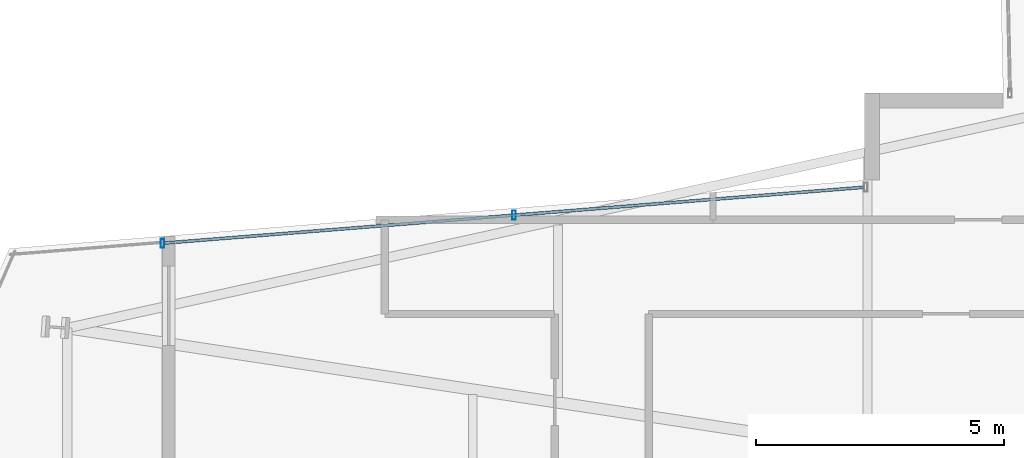
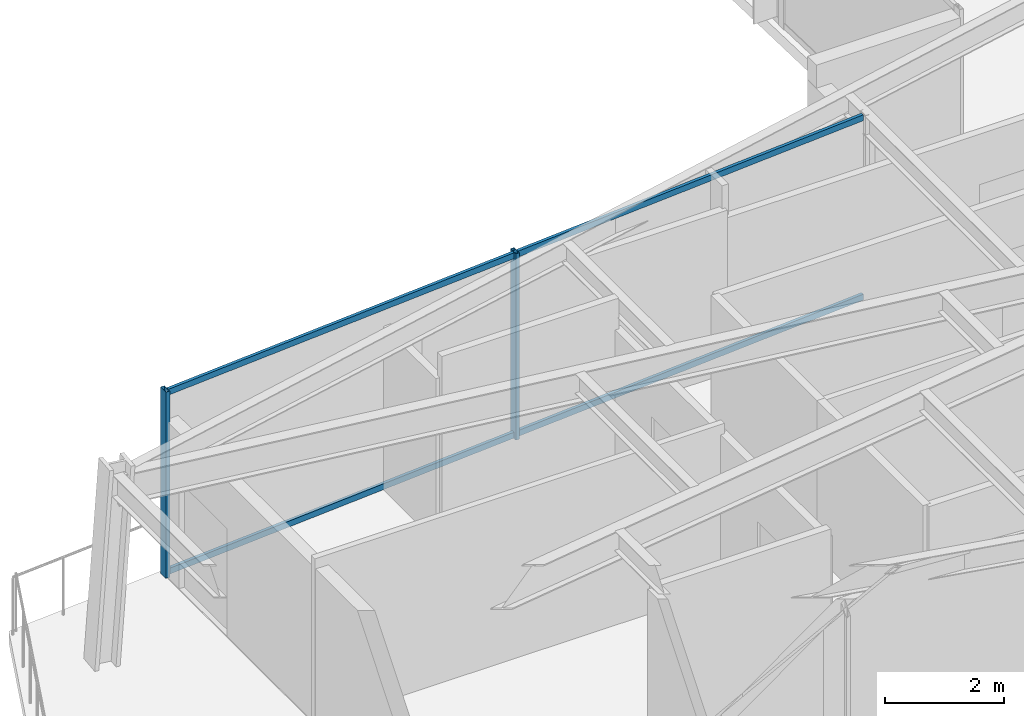
# One storey, part 7 of 26: 4 members, 1 element without a shape of its own.
"""IFC4 building model written with IfcOpenShell, lengths in metres."""

import ifcopenshell
import ifcopenshell.guid

model = None  # the IFC model being written
_history = None  # IfcOwnerHistory: only IFC2X3 demands one
_inside = {}  # id of a spatial element -> (the spatial element, [elements in it])
_under = {}  # id of a project, library or spatial element -> (it, [spatial elements below it])
_declared = {}  # id of a project -> (the project, [libraries it declares])
_typed = {}  # id of a type object -> (the type object, [elements of that type])
_made_of = {}  # id of a material, layer set ... -> (it, [elements and type objects made of it])


def new_model(schema):
    """Start an empty IFC model of exactly this schema.

    Asked for "IFC4X3", IfcOpenShell would pick the latest addendum, in which some entities
    have other attributes; the version numbers below select the first issue.
    IFC2X3 requires an IfcOwnerHistory on every rooted entity: one is made here for all.
    """
    global model, _history
    if schema == "IFC4X3":
        model = ifcopenshell.file(schema_version=(4, 3, 0, 0))
    else:
        model = ifcopenshell.file(schema=schema)
    _inside.clear()
    _under.clear()
    _declared.clear()
    _typed.clear()
    _made_of.clear()
    _history = None
    if model.schema == "IFC2X3":
        org = make("IfcOrganization", Name="unknown")
        user = make(
            "IfcPersonAndOrganization",
            ThePerson=make("IfcPerson", FamilyName="unknown"),
            TheOrganization=org,
        )
        app = make(
            "IfcApplication",
            ApplicationDeveloper=org,
            Version="unknown",
            ApplicationFullName="unknown",
            ApplicationIdentifier="unknown",
        )
        _history = make(
            "IfcOwnerHistory",
            OwningUser=user,
            OwningApplication=app,
            ChangeAction="ADDED",
            CreationDate=0,
        )
    return model


def make(cls, **values):
    """One entity of the class cls with the attributes given. An attribute that is None is left unset."""
    return model.create_entity(
        cls, **{name: value for name, value in values.items() if value is not None}
    )


def rooted(cls, **values):
    """An entity with a GlobalId (a new one), such as an element, a storey or a relation."""
    return make(cls, GlobalId=ifcopenshell.guid.new(), OwnerHistory=_history, **values)


def si_unit(unit_type, name, prefix=None):
    """IfcSIUnit, for example si_unit("LENGTHUNIT", "METRE", prefix="MILLI")."""
    return make("IfcSIUnit", UnitType=unit_type, Prefix=prefix, Name=name)


def assignment(units):
    """IfcUnitAssignment: the units of a project."""
    return None if units is None else make("IfcUnitAssignment", Units=units)


def point(xyz):
    """IfcCartesianPoint."""
    return None if xyz is None else make("IfcCartesianPoint", Coordinates=xyz)


def direction(xyz):
    """IfcDirection."""
    return None if xyz is None else make("IfcDirection", DirectionRatios=xyz)


def frame(location, z_axis=None, x_axis=None):
    """IfcAxis2Placement3D, a coordinate frame: its origin and axes. An axis left out is left unset."""
    return make(
        "IfcAxis2Placement3D",
        Location=point(location),
        Axis=direction(z_axis),
        RefDirection=direction(x_axis),
    )


def frame_2d(location, x_axis=None):
    """IfcAxis2Placement2D, a coordinate frame in the plane: its origin and x axis."""
    return make(
        "IfcAxis2Placement2D", Location=point(location), RefDirection=direction(x_axis)
    )


def origin():
    """The frame at (0, 0, 0) with its axes left unset."""
    return frame((0.0, 0.0, 0.0))


def origin_2d():
    """The frame at (0, 0) in the plane with its x axis left unset."""
    return frame_2d((0.0, 0.0))


def place(relative_to, where):
    """IfcLocalPlacement: puts the frame where relative to a parent placement (None: the world)."""
    return make(
        "IfcLocalPlacement", PlacementRelTo=relative_to, RelativePlacement=where
    )


def context(
    kind, dimensions, precision=None, world=None, true_north=None, identifier=None
):
    """IfcGeometricRepresentationContext, for example the 3D "Model" context."""
    return make(
        "IfcGeometricRepresentationContext",
        ContextIdentifier=identifier,
        ContextType=kind,
        CoordinateSpaceDimension=dimensions,
        Precision=precision,
        WorldCoordinateSystem=world,
        TrueNorth=true_north,
    )


def subcontext(parent, identifier, kind, view, scale=None):
    """IfcGeometricRepresentationSubContext, for example "Body" below "Model"."""
    return make(
        "IfcGeometricRepresentationSubContext",
        ContextIdentifier=identifier,
        ContextType=kind,
        ParentContext=parent,
        TargetScale=scale,
        TargetView=view,
    )


def project(units=None, contexts=None):
    """IfcProject with its units and contexts."""
    return rooted(
        "IfcProject",
        Name="project",
        RepresentationContexts=contexts,
        UnitsInContext=assignment(units),
    )


def spatial(cls, under=None, at=None, **own):
    """A site, building, storey or space (cls), placed at a placement, below another one or the project."""
    s = rooted(cls, ObjectPlacement=at, **own)
    if under is not None:
        _under.setdefault(under.id(), (under, []))[1].append(s)
    return s


def profile(cls, at=None, kind="AREA", **sizes):
    """A parametric profile (cls). Its sizes go by their IFC names, for example OverallWidth=200.0."""
    return make(cls, ProfileType=kind, Position=at, **sizes)


def hollow_rectangle(**sizes):
    """IfcRectangleHollowProfileDef."""
    return profile("IfcRectangleHollowProfileDef", **sizes)


def extrude(swept, where, along, depth):
    """IfcExtrudedAreaSolid: the profile swept, set in the frame where, extruded along a direction by depth."""
    return make(
        "IfcExtrudedAreaSolid",
        SweptArea=swept,
        Position=where,
        ExtrudedDirection=direction(along),
        Depth=depth,
    )


def shape(context_of_items, identifier, shape_type, items):
    """IfcShapeRepresentation: the items that make up one representation, for example the "Body"."""
    return make(
        "IfcShapeRepresentation",
        ContextOfItems=context_of_items,
        RepresentationIdentifier=identifier,
        RepresentationType=shape_type,
        Items=items,
    )


def material(Name=None, Category=None):
    """IfcMaterial."""
    return make("IfcMaterial", Name=Name, Category=Category)


def layer(
    of_material, thickness, ventilated=None, Name=None, Category=None, Priority=None
):
    """IfcMaterialLayer: one layer of a wall or slab, of a material (None: an air gap)."""
    return make(
        "IfcMaterialLayer",
        Material=of_material,
        LayerThickness=thickness,
        IsVentilated=ventilated,
        Name=Name,
        Category=Category,
        Priority=Priority,
    )


def layer_set(layers, Name=None):
    """IfcMaterialLayerSet."""
    return make("IfcMaterialLayerSet", MaterialLayers=layers, LayerSetName=Name)


def material_profile(
    of_material, cross_section, Name=None, Category=None, Priority=None
):
    """IfcMaterialProfile: a cross section and its material."""
    return make(
        "IfcMaterialProfile",
        Name=Name,
        Material=of_material,
        Profile=cross_section,
        Priority=Priority,
        Category=Category,
    )


def profile_set(profiles, Name=None, composite=None):
    """IfcMaterialProfileSet."""
    return make(
        "IfcMaterialProfileSet",
        Name=Name,
        MaterialProfiles=profiles,
        CompositeProfile=composite,
    )


def made_of(thing, what):
    """Note that an element or type object is made of a material, layer set ...; save() writes the relation."""
    if what is not None:
        _made_of.setdefault(what.id(), (what, []))[1].append(thing)
    return thing


def type_object(cls, material=None, **own):
    """A type object (cls), such as IfcWallType, which elements share."""
    return made_of(rooted(cls, **own), material)


def element(
    cls,
    number,
    at=None,
    inside=None,
    cuts=None,
    type_object=None,
    material=None,
    context=None,
    identifier="Body",
    shape_type=None,
    held_by="IfcProductDefinitionShape",
    body=None,
    shapes=None,
    **own,
):
    """One element of the class cls, such as IfcWall. Its Tag is "e" and its number.

    at: its placement. inside: the storey or other place that contains it. cuts: it is an
    opening in that element (IfcRelVoidsElement). A single representation is given by context,
    identifier, shape_type and body (its items); several are given by shapes. held_by: the class
    of the entity that holds the representations. save() writes the other relations.
    """
    e = rooted(cls, Tag="e%d" % number, ObjectPlacement=at, **own)
    if body is not None:
        shapes = [shape(context, identifier, shape_type, body)]
    if shapes is not None:
        e.Representation = make(held_by, Representations=shapes)
    if inside is not None:
        _inside.setdefault(inside.id(), (inside, []))[1].append(e)
    if cuts is not None:
        rooted(
            "IfcRelVoidsElement", RelatingBuildingElement=cuts, RelatedOpeningElement=e
        )
    if type_object is not None:
        _typed.setdefault(type_object.id(), (type_object, []))[1].append(e)
    return made_of(e, material)


def aggregate(whole, parts):
    """IfcRelAggregates: a whole, such as a stair, and the parts it consists of."""
    return rooted("IfcRelAggregates", RelatingObject=whole, RelatedObjects=parts)


def save(model, path):
    """Write the relations noted so far, then the file.

    IfcRelAggregates (storeys below a building ...), IfcRelContainedInSpatialStructure (elements
    in a storey), IfcRelDefinesByType, IfcRelAssociatesMaterial and IfcRelDeclares: one each for
    every whole, place, type object, material and project.
    """
    for whole, parts in _under.values():
        aggregate(whole, parts)
    for where, things in _inside.values():
        rooted(
            "IfcRelContainedInSpatialStructure",
            RelatedElements=things,
            RelatingStructure=where,
        )
    for kind, things in _typed.values():
        rooted("IfcRelDefinesByType", RelatedObjects=things, RelatingType=kind)
    for what, things in _made_of.values():
        rooted("IfcRelAssociatesMaterial", RelatedObjects=things, RelatingMaterial=what)
    for by, libraries in _declared.values():
        rooted("IfcRelDeclares", RelatingContext=by, RelatedDefinitions=libraries)
    model.write(path)


model = new_model("IFC4")

# Units and contexts
model_context = context("Model", 3, precision=1e-05, world=origin(), true_north=direction((0.0, 1.0)))
body_context = subcontext(model_context, "Body", "Model", "MODEL_VIEW")
ifc_project = project(units=[si_unit("LENGTHUNIT", "METRE"), si_unit("AREAUNIT", "SQUARE_METRE"), si_unit("VOLUMEUNIT", "CUBIC_METRE"), si_unit("PLANEANGLEUNIT", "RADIAN"), si_unit("MASSUNIT", "GRAM", prefix="KILO")], contexts=[model_context])

# Site, building, storey
site_placement = place(None, origin())
site = spatial("IfcSite", under=ifc_project, at=site_placement, CompositionType="ELEMENT")
building_placement = place(site_placement, origin())
building = spatial("IfcBuilding", under=site, at=building_placement, Name="Veymaron Broadcast Tower", CompositionType="ELEMENT")
storey_placement = place(building_placement, frame((0.0, 0.0, 90.449951171875)))
storey = spatial("IfcBuildingStorey", under=building, at=storey_placement, Name="L20", CompositionType="ELEMENT", Elevation=90.449951171875)

# Curtain wall, members
ifc_material_1 = material(Name="Anodised aluminium AA 6063-T6 and laminated low-E dark glass", Category="aluminium")
ifc_layer = layer(ifc_material_1, 0.179931640625)
ifc_layer_set = layer_set([ifc_layer], Name="Anodised aluminium AA 6063-T6 and laminated low-E dark glass")
curtain_wall_type = type_object("IfcCurtainWallType", Name="CW-SYS-02", PredefinedType="NOTDEFINED", material=ifc_layer_set)
curtain_wall_placement = place(storey_placement, origin())
curtain_wall = element("IfcCurtainWall", 1, at=curtain_wall_placement, inside=storey, type_object=curtain_wall_type, Name="L20 dark-glass curtain wall CW-L20-E12-1", PredefinedType="NOTDEFINED")
ifc_material_2 = material(Name="Anodised aluminium AA 6063-T6", Category="aluminium")
ifc_material_profile_1 = material_profile(ifc_material_2, hollow_rectangle(XDim=0.074951171875, YDim=0.179931640625, WallThickness=0.0048828125, at=origin_2d()), Name="AL180X75X5")
ifc_profile_set_1 = profile_set([ifc_material_profile_1], Name="Anodised aluminium AA 6063-T6")
member_type_1 = type_object("IfcMemberType", Name="CW-MUL-02", PredefinedType="MULLION", material=ifc_profile_set_1)
member_1_placement = place(storey_placement, frame((18.68310546875, 29.542724609375, 0.0), z_axis=(0.0, 0.0, 1.0), x_axis=(1.0, 0.0, 0.0)))
member_1 = element("IfcMember", 2, at=member_1_placement, type_object=member_type_1, Name="CW-L20-E12-1 mullion 1", PredefinedType="MULLION", context=body_context, shape_type="SweptSolid", body=[
    extrude(hollow_rectangle(XDim=0.074951171875, YDim=0.179931640625, WallThickness=0.0048828125, at=origin_2d()), origin(), (0.0, 0.0, 1.0), 3.81005859375),
])
member_2_placement = place(storey_placement, frame((11.587158203125, 28.976318359375, 0.0), z_axis=(0.0, 0.0, 1.0), x_axis=(1.0, 0.0, 0.0)))
member_2 = element("IfcMember", 3, at=member_2_placement, type_object=member_type_1, Name="CW-L20-E12-1 mullion 2", PredefinedType="MULLION", context=body_context, shape_type="SweptSolid", body=[
    extrude(hollow_rectangle(XDim=0.074951171875, YDim=0.179931640625, WallThickness=0.0048828125, at=origin_2d()), origin(), (0.0, 0.0, 1.0), 3.81005859375),
])
ifc_material_profile_2 = material_profile(ifc_material_2, hollow_rectangle(XDim=0.06005859375, YDim=0.1201171875, WallThickness=0.00390625, at=origin_2d()), Name="AL120X60X4")
ifc_profile_set_2 = profile_set([ifc_material_profile_2], Name="Anodised aluminium AA 6063-T6")
member_type_2 = type_object("IfcMemberType", Name="CW-TRN-02", PredefinedType="USERDEFINED", material=ifc_profile_set_2)
member_3_placement = place(storey_placement, frame((25.729248046875, 30.105224609375, 0.070068359375), z_axis=(-0.996830032486, -0.079560582788, 0.0), x_axis=(0.079560582788, -0.996830032486, 0.0)))
member_3 = element("IfcMember", 4, at=member_3_placement, type_object=member_type_2, Name="CW-L20-E12-1 transom B", ObjectType="TRANSOM", PredefinedType="USERDEFINED", context=body_context, shape_type="SweptSolid", body=[
    extrude(hollow_rectangle(XDim=0.06005859375, YDim=0.1201171875, WallThickness=0.00390625, at=origin_2d()), origin(), (0.0, 0.0, 1.0), 14.13720703125),
])
member_4_placement = place(storey_placement, frame((25.729248046875, 30.105224609375, 3.739990234375), z_axis=(-0.996830032486, -0.079560582788, 0.0), x_axis=(0.079560582788, -0.996830032486, 0.0)))
member_4 = element("IfcMember", 5, at=member_4_placement, type_object=member_type_2, Name="CW-L20-E12-1 transom T", ObjectType="TRANSOM", PredefinedType="USERDEFINED", context=body_context, shape_type="SweptSolid", body=[
    extrude(hollow_rectangle(XDim=0.06005859375, YDim=0.1201171875, WallThickness=0.00390625, at=origin_2d()), origin(), (0.0, 0.0, 1.0), 14.13720703125),
])
aggregate(curtain_wall, [member_1, member_2, member_3, member_4])

save(model, "model.ifc")
